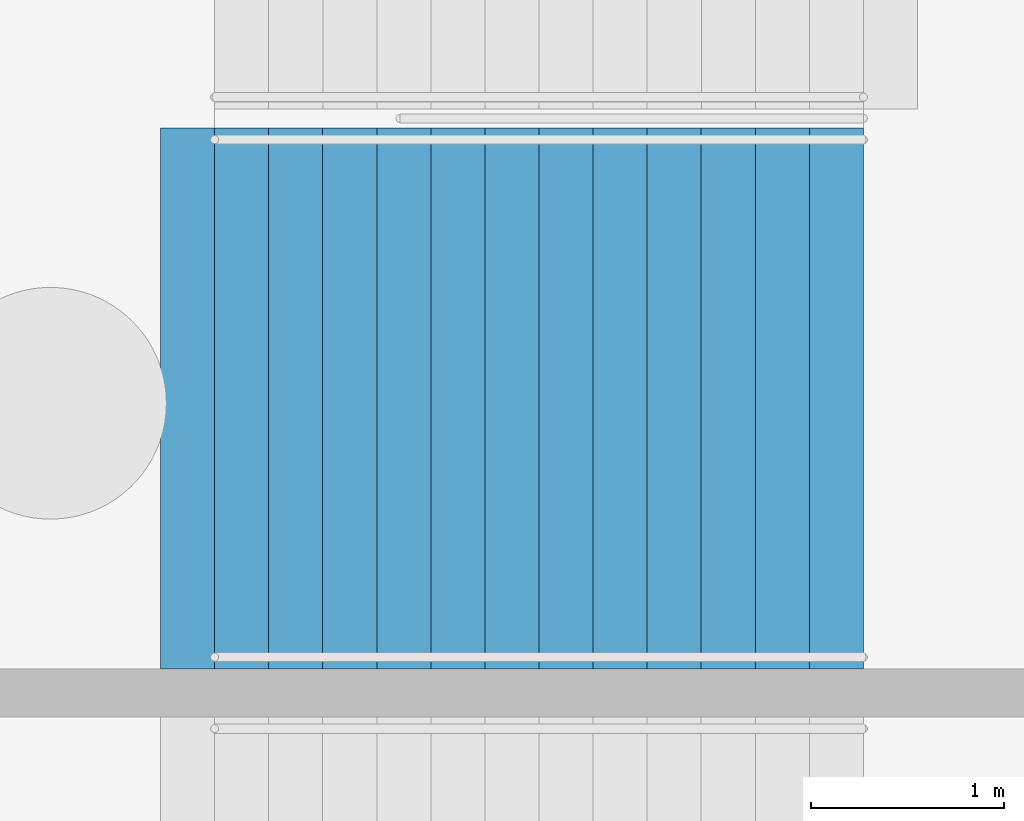
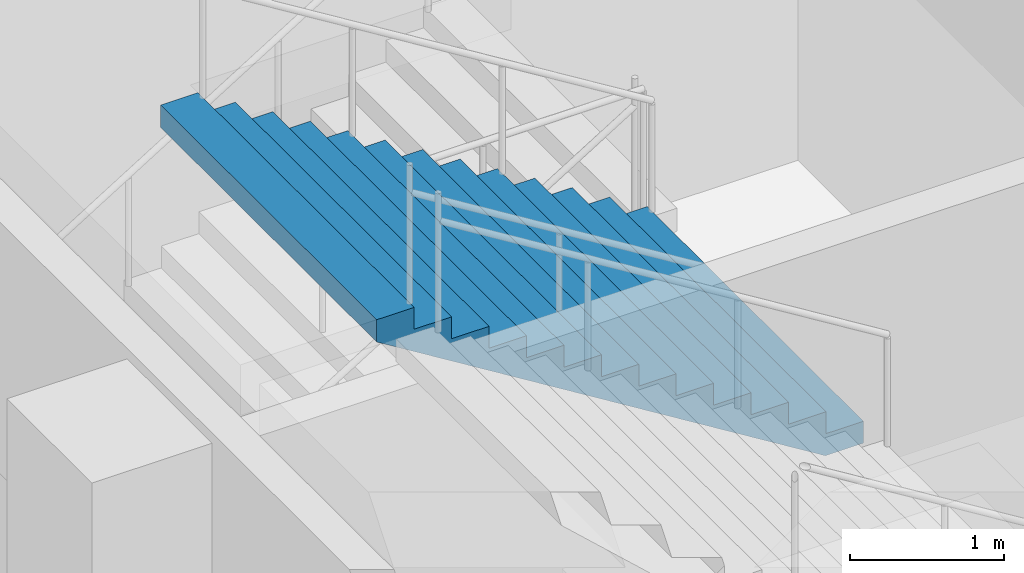
# One storey, part 82 of 115: 1 stair flight, 1 element without a shape of its own.
"""IFC4 building model written with IfcOpenShell, lengths in metres."""

from ifc_helpers import new_model, si_unit, direction, frame, origin, place, context, subcontext, project, spatial, faceted_brep, material, type_object, element, aggregate, save


model = new_model("IFC4")

# Units and contexts
model_context = context("Model", 3, precision=1e-05, world=origin(), true_north=direction((0.0, 1.0)))
body_context = subcontext(model_context, "Body", "Model", "MODEL_VIEW")
ifc_project = project(units=[si_unit("LENGTHUNIT", "METRE"), si_unit("AREAUNIT", "SQUARE_METRE"), si_unit("VOLUMEUNIT", "CUBIC_METRE"), si_unit("PLANEANGLEUNIT", "RADIAN"), si_unit("MASSUNIT", "GRAM", prefix="KILO")], contexts=[model_context])

# Site, building, storey
site_placement = place(None, origin())
site = spatial("IfcSite", under=ifc_project, at=site_placement, CompositionType="ELEMENT")
building_placement = place(site_placement, origin())
building = spatial("IfcBuilding", under=site, at=building_placement, Name="Ogive Plaza Stadium", CompositionType="ELEMENT")
storey_placement = place(building_placement, frame((0.0, 0.0, -4.5)))
storey = spatial("IfcBuildingStorey", under=building, at=storey_placement, Name="B1", CompositionType="ELEMENT", Elevation=-4.5)

# Stair, stair flight
ifc_material_1 = material(Name="Concrete C40/50", Category="concrete")
stair_type = type_object("IfcStairType", Name="Exit stair", PredefinedType="STRAIGHT_RUN_STAIR", material=ifc_material_1)
stair_placement = place(storey_placement, origin())
stair = element("IfcStair", 1, at=stair_placement, inside=storey, type_object=stair_type, Name="Exit stair ST06B B1 to L00", PredefinedType="STRAIGHT_RUN_STAIR")
ifc_material_2 = material(Name="Concrete C40/50", Category="concrete")
stair_flight_type = type_object("IfcStairFlightType", Name="Exit stair flight", PredefinedType="STRAIGHT", material=ifc_material_2)
stair_flight_placement = place(storey_placement, frame((79.7099609375, -20.97509765625, 2.25), z_axis=(0.0, 0.0, 1.0), x_axis=(-1.0, 0.0, 0.0)))
stair_flight = element("IfcStairFlight", 2, at=stair_flight_placement, type_object=stair_flight_type, Name="ST06B flight 2", NumberOfRisers=13, NumberOfTreads=12, PredefinedType="STRAIGHT", RiserHeight=0.173076923, TreadLength=0.28, context=body_context, shape_type="Brep", body=[
    faceted_brep([(0.28515625, -1.39990234375, 0.0), (3.639892578125, -1.39990234375, 2.07373046875), (3.639892578125, -1.39990234375, 2.25), (3.360107421875, -1.39990234375, 2.25), (3.360107421875, -1.39990234375, 2.076904296875), (3.080078125, -1.39990234375, 2.076904296875), (3.080078125, -1.39990234375, 1.90380859375), (2.800048828125, -1.39990234375, 1.90380859375), (2.800048828125, -1.39990234375, 1.730712890625), (2.52001953125, -1.39990234375, 1.730712890625), (2.52001953125, -1.39990234375, 1.5576171875), (2.239990234375, -1.39990234375, 1.5576171875), (2.239990234375, -1.39990234375, 1.384521484375), (1.9599609375, -1.39990234375, 1.384521484375), (1.9599609375, -1.39990234375, 1.21142578125), (1.679931640625, -1.39990234375, 1.21142578125), (1.679931640625, -1.39990234375, 1.03857421875), (1.39990234375, -1.39990234375, 1.03857421875), (1.39990234375, -1.39990234375, 0.865478515625), (1.1201171875, -1.39990234375, 0.865478515625), (1.1201171875, -1.39990234375, 0.6923828125), (0.840087890625, -1.39990234375, 0.6923828125), (0.840087890625, -1.39990234375, 0.519287109375), (0.56005859375, -1.39990234375, 0.519287109375), (0.56005859375, -1.39990234375, 0.34619140625), (0.280029296875, -1.39990234375, 0.34619140625), (0.280029296875, -1.39990234375, 0.173095703125), (0.0, -1.39990234375, 0.173095703125), (0.0, -1.39990234375, 0.0), (0.0, 1.39990234375, 0.0), (0.0, 1.39990234375, 0.173095703125), (0.280029296875, 1.39990234375, 0.173095703125), (0.280029296875, 1.39990234375, 0.34619140625), (0.56005859375, 1.39990234375, 0.34619140625), (0.56005859375, 1.39990234375, 0.519287109375), (0.840087890625, 1.39990234375, 0.519287109375), (0.840087890625, 1.39990234375, 0.6923828125), (1.1201171875, 1.39990234375, 0.6923828125), (1.1201171875, 1.39990234375, 0.865478515625), (1.39990234375, 1.39990234375, 0.865478515625), (1.39990234375, 1.39990234375, 1.03857421875), (1.679931640625, 1.39990234375, 1.03857421875), (1.679931640625, 1.39990234375, 1.21142578125), (1.9599609375, 1.39990234375, 1.21142578125), (1.9599609375, 1.39990234375, 1.384521484375), (2.239990234375, 1.39990234375, 1.384521484375), (2.239990234375, 1.39990234375, 1.5576171875), (2.52001953125, 1.39990234375, 1.5576171875), (2.52001953125, 1.39990234375, 1.730712890625), (2.800048828125, 1.39990234375, 1.730712890625), (2.800048828125, 1.39990234375, 1.90380859375), (3.080078125, 1.39990234375, 1.90380859375), (3.080078125, 1.39990234375, 2.076904296875), (3.360107421875, 1.39990234375, 2.076904296875), (3.360107421875, 1.39990234375, 2.25), (3.639892578125, 1.39990234375, 2.25), (3.639892578125, 1.39990234375, 2.07373046875), (0.28515625, 1.39990234375, 0.0), (0.28515625, -1.0888671875, 0.0), (3.639892578125, -1.0888671875, 2.07373046875), (0.28515625, -0.77783203125, 0.0), (3.639892578125, -0.77783203125, 2.07373046875), (0.28515625, -0.466796875, 0.0), (3.639892578125, -0.466796875, 2.07373046875), (0.28515625, -0.155517578125, 0.0), (3.639892578125, -0.155517578125, 2.07373046875), (0.28515625, 0.155517578125, 0.0), (3.639892578125, 0.155517578125, 2.07373046875), (0.28515625, 0.466796875, 0.0), (3.639892578125, 0.466796875, 2.07373046875), (0.28515625, 0.77783203125, 0.0), (3.639892578125, 0.77783203125, 2.07373046875), (0.28515625, 1.0888671875, 0.0), (3.639892578125, 1.0888671875, 2.07373046875), (3.639892578125, -1.0888671875, 2.25), (3.639892578125, -0.77783203125, 2.25), (3.639892578125, -0.466796875, 2.25), (3.639892578125, -0.155517578125, 2.25), (3.639892578125, 0.155517578125, 2.25), (3.639892578125, 0.466796875, 2.25), (3.639892578125, 0.77783203125, 2.25), (3.639892578125, 1.0888671875, 2.25), (3.360107421875, -1.0888671875, 2.25), (3.360107421875, -0.77783203125, 2.25), (3.360107421875, -0.466796875, 2.25), (3.360107421875, -0.155517578125, 2.25), (3.360107421875, 0.155517578125, 2.25), (3.360107421875, 0.466796875, 2.25), (3.360107421875, 0.77783203125, 2.25), (3.360107421875, 1.0888671875, 2.25), (3.360107421875, -1.0888671875, 2.076904296875), (3.360107421875, -0.77783203125, 2.076904296875), (3.360107421875, -0.466796875, 2.076904296875), (3.360107421875, -0.155517578125, 2.076904296875), (3.360107421875, 0.155517578125, 2.076904296875), (3.360107421875, 0.466796875, 2.076904296875), (3.360107421875, 0.77783203125, 2.076904296875), (3.360107421875, 1.0888671875, 2.076904296875), (3.080078125, -1.0888671875, 2.076904296875), (3.080078125, -0.77783203125, 2.076904296875), (3.080078125, -0.466796875, 2.076904296875), (3.080078125, -0.155517578125, 2.076904296875), (3.080078125, 0.155517578125, 2.076904296875), (3.080078125, 0.466796875, 2.076904296875), (3.080078125, 0.77783203125, 2.076904296875), (3.080078125, 1.0888671875, 2.076904296875), (3.080078125, -1.0888671875, 1.90380859375), (3.080078125, -0.77783203125, 1.90380859375), (3.080078125, -0.466796875, 1.90380859375), (3.080078125, -0.155517578125, 1.90380859375), (3.080078125, 0.155517578125, 1.90380859375), (3.080078125, 0.466796875, 1.90380859375), (3.080078125, 0.77783203125, 1.90380859375), (3.080078125, 1.0888671875, 1.90380859375), (2.800048828125, -1.0888671875, 1.90380859375), (2.800048828125, -0.77783203125, 1.90380859375), (2.800048828125, -0.466796875, 1.90380859375), (2.800048828125, -0.155517578125, 1.90380859375), (2.800048828125, 0.155517578125, 1.90380859375), (2.800048828125, 0.466796875, 1.90380859375), (2.800048828125, 0.77783203125, 1.90380859375), (2.800048828125, 1.0888671875, 1.90380859375), (2.800048828125, -1.0888671875, 1.730712890625), (2.800048828125, -0.77783203125, 1.730712890625), (2.800048828125, -0.466796875, 1.730712890625), (2.800048828125, -0.155517578125, 1.730712890625), (2.800048828125, 0.155517578125, 1.730712890625), (2.800048828125, 0.466796875, 1.730712890625), (2.800048828125, 0.77783203125, 1.730712890625), (2.800048828125, 1.0888671875, 1.730712890625), (2.52001953125, -1.0888671875, 1.730712890625), (2.52001953125, -0.77783203125, 1.730712890625), (2.52001953125, -0.466796875, 1.730712890625), (2.52001953125, -0.155517578125, 1.730712890625), (2.52001953125, 0.155517578125, 1.730712890625), (2.52001953125, 0.466796875, 1.730712890625), (2.52001953125, 0.77783203125, 1.730712890625), (2.52001953125, 1.0888671875, 1.730712890625), (2.52001953125, -1.0888671875, 1.5576171875), (2.52001953125, -0.77783203125, 1.5576171875), (2.52001953125, -0.466796875, 1.5576171875), (2.52001953125, -0.155517578125, 1.5576171875), (2.52001953125, 0.155517578125, 1.5576171875), (2.52001953125, 0.466796875, 1.5576171875), (2.52001953125, 0.77783203125, 1.5576171875), (2.52001953125, 1.0888671875, 1.5576171875), (2.239990234375, -1.0888671875, 1.5576171875), (2.239990234375, -0.77783203125, 1.5576171875), (2.239990234375, -0.466796875, 1.5576171875), (2.239990234375, -0.155517578125, 1.5576171875), (2.239990234375, 0.155517578125, 1.5576171875), (2.239990234375, 0.466796875, 1.5576171875), (2.239990234375, 0.77783203125, 1.5576171875), (2.239990234375, 1.0888671875, 1.5576171875), (2.239990234375, -1.0888671875, 1.384521484375), (2.239990234375, -0.77783203125, 1.384521484375), (2.239990234375, -0.466796875, 1.384521484375), (2.239990234375, -0.155517578125, 1.384521484375), (2.239990234375, 0.155517578125, 1.384521484375), (2.239990234375, 0.466796875, 1.384521484375), (2.239990234375, 0.77783203125, 1.384521484375), (2.239990234375, 1.0888671875, 1.384521484375), (1.9599609375, -1.0888671875, 1.384521484375), (1.9599609375, -0.77783203125, 1.384521484375), (1.9599609375, -0.466796875, 1.384521484375), (1.9599609375, -0.155517578125, 1.384521484375), (1.9599609375, 0.155517578125, 1.384521484375), (1.9599609375, 0.466796875, 1.384521484375), (1.9599609375, 0.77783203125, 1.384521484375), (1.9599609375, 1.0888671875, 1.384521484375), (1.9599609375, -1.0888671875, 1.21142578125), (1.9599609375, -0.77783203125, 1.21142578125), (1.9599609375, -0.466796875, 1.21142578125), (1.9599609375, -0.155517578125, 1.21142578125), (1.9599609375, 0.155517578125, 1.21142578125), (1.9599609375, 0.466796875, 1.21142578125), (1.9599609375, 0.77783203125, 1.21142578125), (1.9599609375, 1.0888671875, 1.21142578125), (1.679931640625, -1.0888671875, 1.21142578125), (1.679931640625, -0.77783203125, 1.21142578125), (1.679931640625, -0.466796875, 1.21142578125), (1.679931640625, -0.155517578125, 1.21142578125), (1.679931640625, 0.155517578125, 1.21142578125), (1.679931640625, 0.466796875, 1.21142578125), (1.679931640625, 0.77783203125, 1.21142578125), (1.679931640625, 1.0888671875, 1.21142578125), (1.679931640625, -1.0888671875, 1.03857421875), (1.679931640625, -0.77783203125, 1.03857421875), (1.679931640625, -0.466796875, 1.03857421875), (1.679931640625, -0.155517578125, 1.03857421875), (1.679931640625, 0.155517578125, 1.03857421875), (1.679931640625, 0.466796875, 1.03857421875), (1.679931640625, 0.77783203125, 1.03857421875), (1.679931640625, 1.0888671875, 1.03857421875), (1.39990234375, -1.0888671875, 1.03857421875), (1.39990234375, -0.77783203125, 1.03857421875), (1.39990234375, -0.466796875, 1.03857421875), (1.39990234375, -0.155517578125, 1.03857421875), (1.39990234375, 0.155517578125, 1.03857421875), (1.39990234375, 0.466796875, 1.03857421875), (1.39990234375, 0.77783203125, 1.03857421875), (1.39990234375, 1.0888671875, 1.03857421875), (1.39990234375, -1.0888671875, 0.865478515625), (1.39990234375, -0.77783203125, 0.865478515625), (1.39990234375, -0.466796875, 0.865478515625), (1.39990234375, -0.155517578125, 0.865478515625), (1.39990234375, 0.155517578125, 0.865478515625), (1.39990234375, 0.466796875, 0.865478515625), (1.39990234375, 0.77783203125, 0.865478515625), (1.39990234375, 1.0888671875, 0.865478515625), (1.1201171875, -1.0888671875, 0.865478515625), (1.1201171875, -0.77783203125, 0.865478515625), (1.1201171875, -0.466796875, 0.865478515625), (1.1201171875, -0.155517578125, 0.865478515625), (1.1201171875, 0.155517578125, 0.865478515625), (1.1201171875, 0.466796875, 0.865478515625), (1.1201171875, 0.77783203125, 0.865478515625), (1.1201171875, 1.0888671875, 0.865478515625), (1.1201171875, -1.0888671875, 0.6923828125), (1.1201171875, -0.77783203125, 0.6923828125), (1.1201171875, -0.466796875, 0.6923828125), (1.1201171875, -0.155517578125, 0.6923828125), (1.1201171875, 0.155517578125, 0.6923828125), (1.1201171875, 0.466796875, 0.6923828125), (1.1201171875, 0.77783203125, 0.6923828125), (1.1201171875, 1.0888671875, 0.6923828125), (0.840087890625, -1.0888671875, 0.6923828125), (0.840087890625, -0.77783203125, 0.6923828125), (0.840087890625, -0.466796875, 0.6923828125), (0.840087890625, -0.155517578125, 0.6923828125), (0.840087890625, 0.155517578125, 0.6923828125), (0.840087890625, 0.466796875, 0.6923828125), (0.840087890625, 0.77783203125, 0.6923828125), (0.840087890625, 1.0888671875, 0.6923828125), (0.840087890625, -1.0888671875, 0.519287109375), (0.840087890625, -0.77783203125, 0.519287109375), (0.840087890625, -0.466796875, 0.519287109375), (0.840087890625, -0.155517578125, 0.519287109375), (0.840087890625, 0.155517578125, 0.519287109375), (0.840087890625, 0.466796875, 0.519287109375), (0.840087890625, 0.77783203125, 0.519287109375), (0.840087890625, 1.0888671875, 0.519287109375), (0.56005859375, -1.0888671875, 0.519287109375), (0.56005859375, -0.77783203125, 0.519287109375), (0.56005859375, -0.466796875, 0.519287109375), (0.56005859375, -0.155517578125, 0.519287109375), (0.56005859375, 0.155517578125, 0.519287109375), (0.56005859375, 0.466796875, 0.519287109375), (0.56005859375, 0.77783203125, 0.519287109375), (0.56005859375, 1.0888671875, 0.519287109375), (0.56005859375, -1.0888671875, 0.34619140625), (0.56005859375, -0.77783203125, 0.34619140625), (0.56005859375, -0.466796875, 0.34619140625), (0.56005859375, -0.155517578125, 0.34619140625), (0.56005859375, 0.155517578125, 0.34619140625), (0.56005859375, 0.466796875, 0.34619140625), (0.56005859375, 0.77783203125, 0.34619140625), (0.56005859375, 1.0888671875, 0.34619140625), (0.280029296875, -1.0888671875, 0.34619140625), (0.280029296875, -0.77783203125, 0.34619140625), (0.280029296875, -0.466796875, 0.34619140625), (0.280029296875, -0.155517578125, 0.34619140625), (0.280029296875, 0.155517578125, 0.34619140625), (0.280029296875, 0.466796875, 0.34619140625), (0.280029296875, 0.77783203125, 0.34619140625), (0.280029296875, 1.0888671875, 0.34619140625), (0.280029296875, -1.0888671875, 0.173095703125), (0.280029296875, -0.77783203125, 0.173095703125), (0.280029296875, -0.466796875, 0.173095703125), (0.280029296875, -0.155517578125, 0.173095703125), (0.280029296875, 0.155517578125, 0.173095703125), (0.280029296875, 0.466796875, 0.173095703125), (0.280029296875, 0.77783203125, 0.173095703125), (0.280029296875, 1.0888671875, 0.173095703125), (0.0, -1.0888671875, 0.173095703125), (0.0, -0.77783203125, 0.173095703125), (0.0, -0.466796875, 0.173095703125), (0.0, -0.155517578125, 0.173095703125), (0.0, 0.155517578125, 0.173095703125), (0.0, 0.466796875, 0.173095703125), (0.0, 0.77783203125, 0.173095703125), (0.0, 1.0888671875, 0.173095703125), (0.0, -1.0888671875, 0.0), (0.0, -0.77783203125, 0.0), (0.0, -0.466796875, 0.0), (0.0, -0.155517578125, 0.0), (0.0, 0.155517578125, 0.0), (0.0, 0.466796875, 0.0), (0.0, 0.77783203125, 0.0), (0.0, 1.0888671875, 0.0)], [[[0, 1, 2, 3, 4, 5, 6, 7, 8, 9, 10, 11, 12, 13, 14, 15, 16, 17, 18, 19, 20, 21, 22, 23, 24, 25, 26, 27, 28]], [[29, 30, 31, 32, 33, 34, 35, 36, 37, 38, 39, 40, 41, 42, 43, 44, 45, 46, 47, 48, 49, 50, 51, 52, 53, 54, 55, 56, 57]], [[0, 58, 59, 1]], [[58, 60, 61, 59]], [[60, 62, 63, 61]], [[62, 64, 65, 63]], [[64, 66, 67, 65]], [[66, 68, 69, 67]], [[68, 70, 71, 69]], [[70, 72, 73, 71]], [[72, 57, 56, 73]], [[1, 59, 74, 2]], [[59, 61, 75, 74]], [[61, 63, 76, 75]], [[63, 65, 77, 76]], [[65, 67, 78, 77]], [[67, 69, 79, 78]], [[69, 71, 80, 79]], [[71, 73, 81, 80]], [[73, 56, 55, 81]], [[2, 74, 82, 3]], [[74, 75, 83, 82]], [[75, 76, 84, 83]], [[76, 77, 85, 84]], [[77, 78, 86, 85]], [[78, 79, 87, 86]], [[79, 80, 88, 87]], [[80, 81, 89, 88]], [[81, 55, 54, 89]], [[3, 82, 90, 4]], [[82, 83, 91, 90]], [[83, 84, 92, 91]], [[84, 85, 93, 92]], [[85, 86, 94, 93]], [[86, 87, 95, 94]], [[87, 88, 96, 95]], [[88, 89, 97, 96]], [[89, 54, 53, 97]], [[4, 90, 98, 5]], [[90, 91, 99, 98]], [[91, 92, 100, 99]], [[92, 93, 101, 100]], [[93, 94, 102, 101]], [[94, 95, 103, 102]], [[95, 96, 104, 103]], [[96, 97, 105, 104]], [[97, 53, 52, 105]], [[5, 98, 106, 6]], [[98, 99, 107, 106]], [[99, 100, 108, 107]], [[100, 101, 109, 108]], [[101, 102, 110, 109]], [[102, 103, 111, 110]], [[103, 104, 112, 111]], [[104, 105, 113, 112]], [[105, 52, 51, 113]], [[6, 106, 114, 7]], [[106, 107, 115, 114]], [[107, 108, 116, 115]], [[108, 109, 117, 116]], [[109, 110, 118, 117]], [[110, 111, 119, 118]], [[111, 112, 120, 119]], [[112, 113, 121, 120]], [[113, 51, 50, 121]], [[7, 114, 122, 8]], [[114, 115, 123, 122]], [[115, 116, 124, 123]], [[116, 117, 125, 124]], [[117, 118, 126, 125]], [[118, 119, 127, 126]], [[119, 120, 128, 127]], [[120, 121, 129, 128]], [[121, 50, 49, 129]], [[8, 122, 130, 9]], [[122, 123, 131, 130]], [[123, 124, 132, 131]], [[124, 125, 133, 132]], [[125, 126, 134, 133]], [[126, 127, 135, 134]], [[127, 128, 136, 135]], [[128, 129, 137, 136]], [[129, 49, 48, 137]], [[9, 130, 138, 10]], [[130, 131, 139, 138]], [[131, 132, 140, 139]], [[132, 133, 141, 140]], [[133, 134, 142, 141]], [[134, 135, 143, 142]], [[135, 136, 144, 143]], [[136, 137, 145, 144]], [[137, 48, 47, 145]], [[10, 138, 146, 11]], [[138, 139, 147, 146]], [[139, 140, 148, 147]], [[140, 141, 149, 148]], [[141, 142, 150, 149]], [[142, 143, 151, 150]], [[143, 144, 152, 151]], [[144, 145, 153, 152]], [[145, 47, 46, 153]], [[11, 146, 154, 12]], [[146, 147, 155, 154]], [[147, 148, 156, 155]], [[148, 149, 157, 156]], [[149, 150, 158, 157]], [[150, 151, 159, 158]], [[151, 152, 160, 159]], [[152, 153, 161, 160]], [[153, 46, 45, 161]], [[12, 154, 162, 13]], [[154, 155, 163, 162]], [[155, 156, 164, 163]], [[156, 157, 165, 164]], [[157, 158, 166, 165]], [[158, 159, 167, 166]], [[159, 160, 168, 167]], [[160, 161, 169, 168]], [[161, 45, 44, 169]], [[13, 162, 170, 14]], [[162, 163, 171, 170]], [[163, 164, 172, 171]], [[164, 165, 173, 172]], [[165, 166, 174, 173]], [[166, 167, 175, 174]], [[167, 168, 176, 175]], [[168, 169, 177, 176]], [[169, 44, 43, 177]], [[14, 170, 178, 15]], [[170, 171, 179, 178]], [[171, 172, 180, 179]], [[172, 173, 181, 180]], [[173, 174, 182, 181]], [[174, 175, 183, 182]], [[175, 176, 184, 183]], [[176, 177, 185, 184]], [[177, 43, 42, 185]], [[15, 178, 186, 16]], [[178, 179, 187, 186]], [[179, 180, 188, 187]], [[180, 181, 189, 188]], [[181, 182, 190, 189]], [[182, 183, 191, 190]], [[183, 184, 192, 191]], [[184, 185, 193, 192]], [[185, 42, 41, 193]], [[16, 186, 194, 17]], [[186, 187, 195, 194]], [[187, 188, 196, 195]], [[188, 189, 197, 196]], [[189, 190, 198, 197]], [[190, 191, 199, 198]], [[191, 192, 200, 199]], [[192, 193, 201, 200]], [[193, 41, 40, 201]], [[17, 194, 202, 18]], [[194, 195, 203, 202]], [[195, 196, 204, 203]], [[196, 197, 205, 204]], [[197, 198, 206, 205]], [[198, 199, 207, 206]], [[199, 200, 208, 207]], [[200, 201, 209, 208]], [[201, 40, 39, 209]], [[18, 202, 210, 19]], [[202, 203, 211, 210]], [[203, 204, 212, 211]], [[204, 205, 213, 212]], [[205, 206, 214, 213]], [[206, 207, 215, 214]], [[207, 208, 216, 215]], [[208, 209, 217, 216]], [[209, 39, 38, 217]], [[19, 210, 218, 20]], [[210, 211, 219, 218]], [[211, 212, 220, 219]], [[212, 213, 221, 220]], [[213, 214, 222, 221]], [[214, 215, 223, 222]], [[215, 216, 224, 223]], [[216, 217, 225, 224]], [[217, 38, 37, 225]], [[20, 218, 226, 21]], [[218, 219, 227, 226]], [[219, 220, 228, 227]], [[220, 221, 229, 228]], [[221, 222, 230, 229]], [[222, 223, 231, 230]], [[223, 224, 232, 231]], [[224, 225, 233, 232]], [[225, 37, 36, 233]], [[21, 226, 234, 22]], [[226, 227, 235, 234]], [[227, 228, 236, 235]], [[228, 229, 237, 236]], [[229, 230, 238, 237]], [[230, 231, 239, 238]], [[231, 232, 240, 239]], [[232, 233, 241, 240]], [[233, 36, 35, 241]], [[22, 234, 242, 23]], [[234, 235, 243, 242]], [[235, 236, 244, 243]], [[236, 237, 245, 244]], [[237, 238, 246, 245]], [[238, 239, 247, 246]], [[239, 240, 248, 247]], [[240, 241, 249, 248]], [[241, 35, 34, 249]], [[23, 242, 250, 24]], [[242, 243, 251, 250]], [[243, 244, 252, 251]], [[244, 245, 253, 252]], [[245, 246, 254, 253]], [[246, 247, 255, 254]], [[247, 248, 256, 255]], [[248, 249, 257, 256]], [[249, 34, 33, 257]], [[24, 250, 258, 25]], [[250, 251, 259, 258]], [[251, 252, 260, 259]], [[252, 253, 261, 260]], [[253, 254, 262, 261]], [[254, 255, 263, 262]], [[255, 256, 264, 263]], [[256, 257, 265, 264]], [[257, 33, 32, 265]], [[25, 258, 266, 26]], [[258, 259, 267, 266]], [[259, 260, 268, 267]], [[260, 261, 269, 268]], [[261, 262, 270, 269]], [[262, 263, 271, 270]], [[263, 264, 272, 271]], [[264, 265, 273, 272]], [[265, 32, 31, 273]], [[26, 266, 274, 27]], [[266, 267, 275, 274]], [[267, 268, 276, 275]], [[268, 269, 277, 276]], [[269, 270, 278, 277]], [[270, 271, 279, 278]], [[271, 272, 280, 279]], [[272, 273, 281, 280]], [[273, 31, 30, 281]], [[27, 274, 282, 28]], [[274, 275, 283, 282]], [[275, 276, 284, 283]], [[276, 277, 285, 284]], [[277, 278, 286, 285]], [[278, 279, 287, 286]], [[279, 280, 288, 287]], [[280, 281, 289, 288]], [[281, 30, 29, 289]], [[28, 282, 58, 0]], [[282, 283, 60, 58]], [[283, 284, 62, 60]], [[284, 285, 64, 62]], [[285, 286, 66, 64]], [[286, 287, 68, 66]], [[287, 288, 70, 68]], [[288, 289, 72, 70]], [[289, 29, 57, 72]]]),
])
aggregate(stair, [stair_flight])

save(model, "model.ifc")
